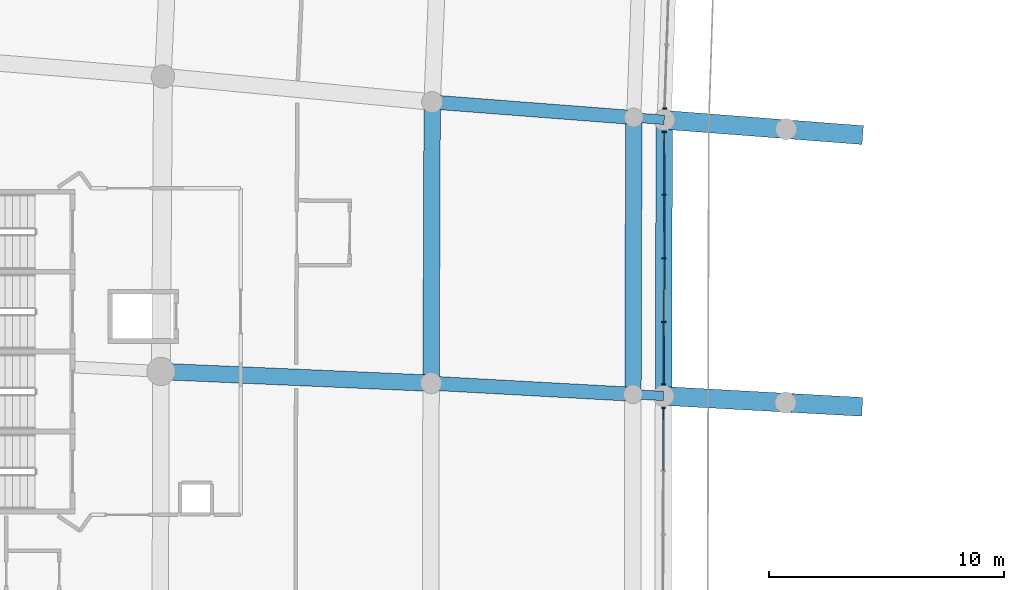
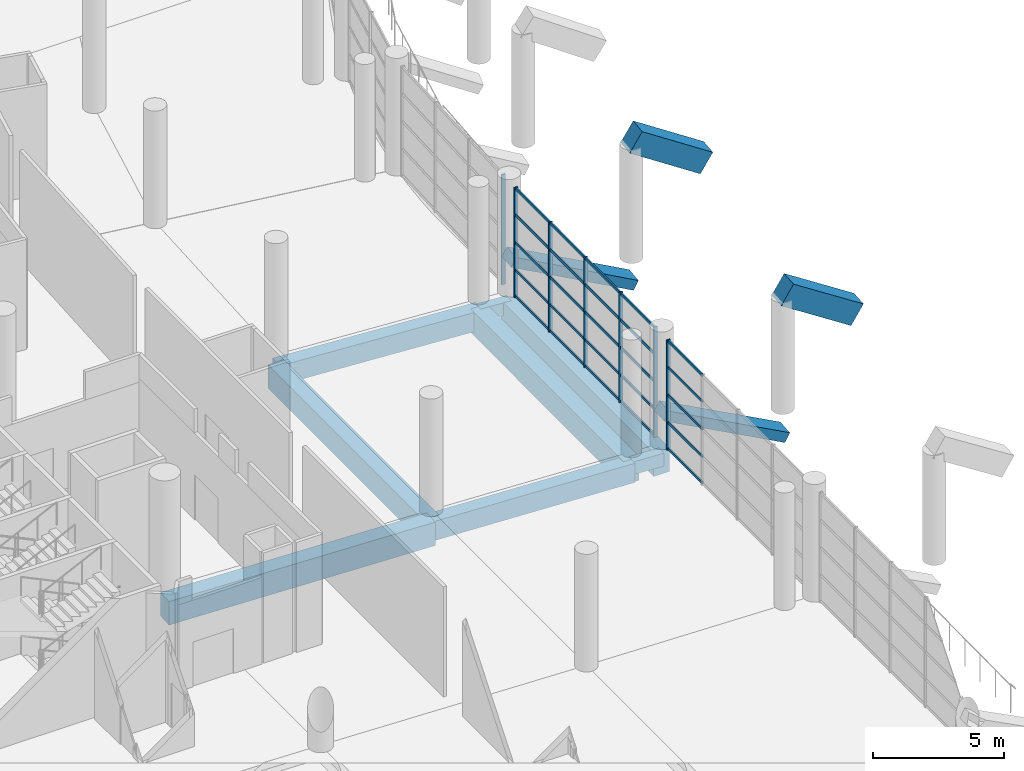
# One storey, part 70 of 271: 32 members, 12 beams, 3 elements without a shape of their own.
"""IFC4 building model written with IfcOpenShell, lengths in metres."""

from ifc_helpers import new_model, si_unit, direction, frame, origin, origin_2d, place, context, subcontext, project, spatial, rectangle, extrude, material, layer, layer_set, material_profile, profile_set, type_object, element, aggregate, save


model = new_model("IFC4")

# Units and contexts
model_context = context("Model", 3, precision=1e-05, world=origin(), true_north=direction((0.0, 1.0)))
body_context = subcontext(model_context, "Body", "Model", "MODEL_VIEW")
ifc_project = project(units=[si_unit("LENGTHUNIT", "METRE"), si_unit("AREAUNIT", "SQUARE_METRE"), si_unit("VOLUMEUNIT", "CUBIC_METRE"), si_unit("PLANEANGLEUNIT", "RADIAN"), si_unit("MASSUNIT", "GRAM", prefix="KILO")], contexts=[model_context])

# Site, building, storey
site_placement = place(None, origin())
site = spatial("IfcSite", under=ifc_project, at=site_placement, CompositionType="ELEMENT")
building_placement = place(site_placement, origin())
building = spatial("IfcBuilding", under=site, at=building_placement, Name="Meseta Stadium", CompositionType="ELEMENT")
storey_placement = place(building_placement, frame((0.0, 0.0, 6.5)))
storey = spatial("IfcBuildingStorey", under=building, at=storey_placement, Name="L01", CompositionType="ELEMENT", Elevation=6.5)

# Curtain wall, member
ifc_material_1 = material(Name="Aluminium", Category="aluminium")
ifc_layer = layer(ifc_material_1, 0.199951171875)
ifc_layer_set = layer_set([ifc_layer], Name="Club glazing curtain wall")
curtain_wall_type = type_object("IfcCurtainWallType", Name="Club glazing curtain wall", PredefinedType="NOTDEFINED", material=ifc_layer_set)
curtain_wall_1_placement = place(storey_placement, origin())
curtain_wall_1 = element("IfcCurtainWall", 1, at=curtain_wall_1_placement, inside=storey, type_object=curtain_wall_type, Name="Club glazing bay 28", PredefinedType="NOTDEFINED")
ifc_material_2 = material(Name="Aluminium", Category="aluminium")
ifc_material_profile_1 = material_profile(ifc_material_2, rectangle(XDim=0.159912109375, YDim=0.06005859375, at=origin_2d()), Name="CW 160x60")
ifc_profile_set_1 = profile_set([ifc_material_profile_1], Name="Aluminium")
member_type_1 = type_object("IfcMemberType", Name="CW mullion 60x160", PredefinedType="MULLION", material=ifc_profile_set_1)
member_1_placement = place(storey_placement, frame((-63.517333984375, 41.583740234375, 0.0), z_axis=(0.0, 0.0, 1.0), x_axis=(0.999408203812, -0.034398287063, 0.0)))
member_1 = element("IfcMember", 2, at=member_1_placement, type_object=member_type_1, Name="CWC mullion 4", PredefinedType="MULLION", context=body_context, shape_type="SweptSolid", body=[
    extrude(rectangle(XDim=0.159912109375, YDim=0.06005859375, at=origin_2d()), origin(), (0.0, 0.0, 1.0), 5.14990234375),
])
aggregate(curtain_wall_1, [member_1])

# Curtain wall, members
curtain_wall_2_placement = place(storey_placement, origin())
curtain_wall_2 = element("IfcCurtainWall", 3, at=curtain_wall_2_placement, inside=storey, type_object=curtain_wall_type, Name="Club glazing bay 29", PredefinedType="NOTDEFINED")
member_2_placement = place(storey_placement, frame((-63.53515625, 40.59423828125, 0.0), z_axis=(0.0, 0.0, 1.0), x_axis=(0.999996195715, -0.002758360998, 0.0)))
member_2 = element("IfcMember", 4, at=member_2_placement, type_object=member_type_1, Name="CWC mullion 1", PredefinedType="MULLION", context=body_context, shape_type="SweptSolid", body=[
    extrude(rectangle(XDim=0.159912109375, YDim=0.06005859375, at=origin_2d()), origin(), (0.0, 0.0, 1.0), 5.14990234375),
])
member_3_placement = place(storey_placement, frame((-63.54248046875, 37.92138671875, 0.0), z_axis=(0.0, 0.0, 1.0), x_axis=(0.999996195715, -0.002758360998, 0.0)))
member_3 = element("IfcMember", 5, at=member_3_placement, type_object=member_type_1, Name="CWC mullion 2", PredefinedType="MULLION", context=body_context, shape_type="SweptSolid", body=[
    extrude(rectangle(XDim=0.159912109375, YDim=0.06005859375, at=origin_2d()), origin(), (0.0, 0.0, 1.0), 5.14990234375),
])
member_4_placement = place(storey_placement, frame((-63.550048828125, 35.21826171875, 0.0), z_axis=(0.0, 0.0, 1.0), x_axis=(0.999996195715, -0.002758360998, 0.0)))
member_4 = element("IfcMember", 6, at=member_4_placement, type_object=member_type_1, Name="CWC mullion 3", PredefinedType="MULLION", context=body_context, shape_type="SweptSolid", body=[
    extrude(rectangle(XDim=0.159912109375, YDim=0.06005859375, at=origin_2d()), origin(), (0.0, 0.0, 1.0), 5.14990234375),
])
member_5_placement = place(storey_placement, frame((-63.557373046875, 32.51513671875, 0.0), z_axis=(0.0, 0.0, 1.0), x_axis=(0.999996195715, -0.002758360998, 0.0)))
member_5 = element("IfcMember", 7, at=member_5_placement, type_object=member_type_1, Name="CWC mullion 4", PredefinedType="MULLION", context=body_context, shape_type="SweptSolid", body=[
    extrude(rectangle(XDim=0.159912109375, YDim=0.06005859375, at=origin_2d()), origin(), (0.0, 0.0, 1.0), 5.14990234375),
])
member_6_placement = place(storey_placement, frame((-63.564697265625, 29.842041015625, 0.0), z_axis=(0.0, 0.0, 1.0), x_axis=(0.999996195715, -0.002758360998, 0.0)))
member_6 = element("IfcMember", 8, at=member_6_placement, type_object=member_type_1, Name="CWC mullion 5", PredefinedType="MULLION", context=body_context, shape_type="SweptSolid", body=[
    extrude(rectangle(XDim=0.159912109375, YDim=0.06005859375, at=origin_2d()), origin(), (0.0, 0.0, 1.0), 5.14990234375),
])

# Curtain wall, member
curtain_wall_3_placement = place(storey_placement, origin())
curtain_wall_3 = element("IfcCurtainWall", 9, at=curtain_wall_3_placement, inside=storey, type_object=curtain_wall_type, Name="Club glazing bay 30", PredefinedType="NOTDEFINED")
member_7_placement = place(storey_placement, frame((-63.567138671875, 28.8525390625, 0.0), z_axis=(0.0, 0.0, 1.0), x_axis=(0.999998297516, -0.0018452545, 0.0)))
member_7 = element("IfcMember", 10, at=member_7_placement, type_object=member_type_1, Name="CWC mullion 1", PredefinedType="MULLION", context=body_context, shape_type="SweptSolid", body=[
    extrude(rectangle(XDim=0.159912109375, YDim=0.06005859375, at=origin_2d()), origin(), (0.0, 0.0, 1.0), 5.14990234375),
])

# Member
ifc_material_3 = material(Name="Aluminium", Category="aluminium")
ifc_material_profile_2 = material_profile(ifc_material_3, rectangle(XDim=0.06005859375, YDim=0.1201171875, at=origin_2d()), Name="CW 60x120")
ifc_profile_set_2 = profile_set([ifc_material_profile_2], Name="Aluminium")
member_type_2 = type_object("IfcMemberType", Name="CW transom 60x120", PredefinedType="USERDEFINED", material=ifc_profile_set_2)
member_8_placement = place(storey_placement, frame((-63.53515625, 40.564453125, 0.06005859375), z_axis=(-0.002802941433, -0.999996071752, 0.0), x_axis=(0.999996071752, -0.002802941433, 0.0)))
member_8 = element("IfcMember", 11, at=member_8_placement, type_object=member_type_2, Name="CWC transom 1.1", ObjectType="TRANSOM", PredefinedType="USERDEFINED", context=body_context, shape_type="SweptSolid", body=[
    extrude(rectangle(XDim=0.06005859375, YDim=0.1201171875, at=origin_2d()), origin(), (0.0, 0.0, 1.0), 2.613037109375),
])

member_9_placement = place(storey_placement, frame((-63.53515625, 40.564453125, 1.28759765625), z_axis=(-0.002802941433, -0.999996071752, 0.0), x_axis=(0.999996071752, -0.002802941433, 0.0)))
member_9 = element("IfcMember", 12, at=member_9_placement, type_object=member_type_2, Name="CWC transom 1.2", ObjectType="TRANSOM", PredefinedType="USERDEFINED", context=body_context, shape_type="SweptSolid", body=[
    extrude(rectangle(XDim=0.06005859375, YDim=0.1201171875, at=origin_2d()), origin(), (0.0, 0.0, 1.0), 2.613037109375),
])

member_10_placement = place(storey_placement, frame((-63.53515625, 40.564453125, 2.574951171875), z_axis=(-0.002802941433, -0.999996071752, 0.0), x_axis=(0.999996071752, -0.002802941433, 0.0)))
member_10 = element("IfcMember", 13, at=member_10_placement, type_object=member_type_2, Name="CWC transom 1.3", ObjectType="TRANSOM", PredefinedType="USERDEFINED", context=body_context, shape_type="SweptSolid", body=[
    extrude(rectangle(XDim=0.06005859375, YDim=0.1201171875, at=origin_2d()), origin(), (0.0, 0.0, 1.0), 2.613037109375),
])

member_11_placement = place(storey_placement, frame((-63.53515625, 40.564453125, 3.862548828125), z_axis=(-0.002802941433, -0.999996071752, 0.0), x_axis=(0.999996071752, -0.002802941433, 0.0)))
member_11 = element("IfcMember", 14, at=member_11_placement, type_object=member_type_2, Name="CWC transom 1.4", ObjectType="TRANSOM", PredefinedType="USERDEFINED", context=body_context, shape_type="SweptSolid", body=[
    extrude(rectangle(XDim=0.06005859375, YDim=0.1201171875, at=origin_2d()), origin(), (0.0, 0.0, 1.0), 2.613037109375),
])

member_12_placement = place(storey_placement, frame((-63.53515625, 40.564453125, 5.090087890625), z_axis=(-0.002802941433, -0.999996071752, 0.0), x_axis=(0.999996071752, -0.002802941433, 0.0)))
member_12 = element("IfcMember", 15, at=member_12_placement, type_object=member_type_2, Name="CWC transom 1.5", ObjectType="TRANSOM", PredefinedType="USERDEFINED", context=body_context, shape_type="SweptSolid", body=[
    extrude(rectangle(XDim=0.06005859375, YDim=0.1201171875, at=origin_2d()), origin(), (0.0, 0.0, 1.0), 2.613037109375),
])

member_13_placement = place(storey_placement, frame((-63.54248046875, 37.891357421875, 0.06005859375), z_axis=(-0.002771095956, -0.999996160506, 0.0), x_axis=(0.999996160506, -0.002771095956, 0.0)))
member_13 = element("IfcMember", 16, at=member_13_placement, type_object=member_type_2, Name="CWC transom 2.1", ObjectType="TRANSOM", PredefinedType="USERDEFINED", context=body_context, shape_type="SweptSolid", body=[
    extrude(rectangle(XDim=0.06005859375, YDim=0.1201171875, at=origin_2d()), origin(), (0.0, 0.0, 1.0), 2.64306640625),
])

member_14_placement = place(storey_placement, frame((-63.54248046875, 37.891357421875, 1.28759765625), z_axis=(-0.002771095956, -0.999996160506, 0.0), x_axis=(0.999996160506, -0.002771095956, 0.0)))
member_14 = element("IfcMember", 17, at=member_14_placement, type_object=member_type_2, Name="CWC transom 2.2", ObjectType="TRANSOM", PredefinedType="USERDEFINED", context=body_context, shape_type="SweptSolid", body=[
    extrude(rectangle(XDim=0.06005859375, YDim=0.1201171875, at=origin_2d()), origin(), (0.0, 0.0, 1.0), 2.64306640625),
])

member_15_placement = place(storey_placement, frame((-63.54248046875, 37.891357421875, 2.574951171875), z_axis=(-0.002771095956, -0.999996160506, 0.0), x_axis=(0.999996160506, -0.002771095956, 0.0)))
member_15 = element("IfcMember", 18, at=member_15_placement, type_object=member_type_2, Name="CWC transom 2.3", ObjectType="TRANSOM", PredefinedType="USERDEFINED", context=body_context, shape_type="SweptSolid", body=[
    extrude(rectangle(XDim=0.06005859375, YDim=0.1201171875, at=origin_2d()), origin(), (0.0, 0.0, 1.0), 2.64306640625),
])

member_16_placement = place(storey_placement, frame((-63.54248046875, 37.891357421875, 3.862548828125), z_axis=(-0.002771095956, -0.999996160506, 0.0), x_axis=(0.999996160506, -0.002771095956, 0.0)))
member_16 = element("IfcMember", 19, at=member_16_placement, type_object=member_type_2, Name="CWC transom 2.4", ObjectType="TRANSOM", PredefinedType="USERDEFINED", context=body_context, shape_type="SweptSolid", body=[
    extrude(rectangle(XDim=0.06005859375, YDim=0.1201171875, at=origin_2d()), origin(), (0.0, 0.0, 1.0), 2.64306640625),
])

member_17_placement = place(storey_placement, frame((-63.54248046875, 37.891357421875, 5.090087890625), z_axis=(-0.002771095956, -0.999996160506, 0.0), x_axis=(0.999996160506, -0.002771095956, 0.0)))
member_17 = element("IfcMember", 20, at=member_17_placement, type_object=member_type_2, Name="CWC transom 2.5", ObjectType="TRANSOM", PredefinedType="USERDEFINED", context=body_context, shape_type="SweptSolid", body=[
    extrude(rectangle(XDim=0.06005859375, YDim=0.1201171875, at=origin_2d()), origin(), (0.0, 0.0, 1.0), 2.64306640625),
])

member_18_placement = place(storey_placement, frame((-63.550048828125, 35.188232421875, 0.06005859375), z_axis=(-0.002771095956, -0.999996160506, 0.0), x_axis=(0.999996160506, -0.002771095956, 0.0)))
member_18 = element("IfcMember", 21, at=member_18_placement, type_object=member_type_2, Name="CWC transom 3.1", ObjectType="TRANSOM", PredefinedType="USERDEFINED", context=body_context, shape_type="SweptSolid", body=[
    extrude(rectangle(XDim=0.06005859375, YDim=0.1201171875, at=origin_2d()), origin(), (0.0, 0.0, 1.0), 2.64306640625),
])

member_19_placement = place(storey_placement, frame((-63.550048828125, 35.188232421875, 1.28759765625), z_axis=(-0.002771095956, -0.999996160506, 0.0), x_axis=(0.999996160506, -0.002771095956, 0.0)))
member_19 = element("IfcMember", 22, at=member_19_placement, type_object=member_type_2, Name="CWC transom 3.2", ObjectType="TRANSOM", PredefinedType="USERDEFINED", context=body_context, shape_type="SweptSolid", body=[
    extrude(rectangle(XDim=0.06005859375, YDim=0.1201171875, at=origin_2d()), origin(), (0.0, 0.0, 1.0), 2.64306640625),
])

member_20_placement = place(storey_placement, frame((-63.550048828125, 35.188232421875, 2.574951171875), z_axis=(-0.002771095956, -0.999996160506, 0.0), x_axis=(0.999996160506, -0.002771095956, 0.0)))
member_20 = element("IfcMember", 23, at=member_20_placement, type_object=member_type_2, Name="CWC transom 3.3", ObjectType="TRANSOM", PredefinedType="USERDEFINED", context=body_context, shape_type="SweptSolid", body=[
    extrude(rectangle(XDim=0.06005859375, YDim=0.1201171875, at=origin_2d()), origin(), (0.0, 0.0, 1.0), 2.64306640625),
])

member_21_placement = place(storey_placement, frame((-63.550048828125, 35.188232421875, 3.862548828125), z_axis=(-0.002771095956, -0.999996160506, 0.0), x_axis=(0.999996160506, -0.002771095956, 0.0)))
member_21 = element("IfcMember", 24, at=member_21_placement, type_object=member_type_2, Name="CWC transom 3.4", ObjectType="TRANSOM", PredefinedType="USERDEFINED", context=body_context, shape_type="SweptSolid", body=[
    extrude(rectangle(XDim=0.06005859375, YDim=0.1201171875, at=origin_2d()), origin(), (0.0, 0.0, 1.0), 2.64306640625),
])

member_22_placement = place(storey_placement, frame((-63.550048828125, 35.188232421875, 5.090087890625), z_axis=(-0.002771095956, -0.999996160506, 0.0), x_axis=(0.999996160506, -0.002771095956, 0.0)))
member_22 = element("IfcMember", 25, at=member_22_placement, type_object=member_type_2, Name="CWC transom 3.5", ObjectType="TRANSOM", PredefinedType="USERDEFINED", context=body_context, shape_type="SweptSolid", body=[
    extrude(rectangle(XDim=0.06005859375, YDim=0.1201171875, at=origin_2d()), origin(), (0.0, 0.0, 1.0), 2.64306640625),
])

member_23_placement = place(storey_placement, frame((-63.5576171875, 32.485107421875, 0.06005859375), z_axis=(-0.002709510749, -0.999996329269, 0.0), x_axis=(0.999996329269, -0.002709510749, 0.0)))
member_23 = element("IfcMember", 26, at=member_23_placement, type_object=member_type_2, Name="CWC transom 4.1", ObjectType="TRANSOM", PredefinedType="USERDEFINED", context=body_context, shape_type="SweptSolid", body=[
    extrude(rectangle(XDim=0.06005859375, YDim=0.1201171875, at=origin_2d()), origin(), (0.0, 0.0, 1.0), 2.613037109375),
])

member_24_placement = place(storey_placement, frame((-63.5576171875, 32.485107421875, 1.28759765625), z_axis=(-0.002709510749, -0.999996329269, 0.0), x_axis=(0.999996329269, -0.002709510749, 0.0)))
member_24 = element("IfcMember", 27, at=member_24_placement, type_object=member_type_2, Name="CWC transom 4.2", ObjectType="TRANSOM", PredefinedType="USERDEFINED", context=body_context, shape_type="SweptSolid", body=[
    extrude(rectangle(XDim=0.06005859375, YDim=0.1201171875, at=origin_2d()), origin(), (0.0, 0.0, 1.0), 2.613037109375),
])

member_25_placement = place(storey_placement, frame((-63.5576171875, 32.485107421875, 2.574951171875), z_axis=(-0.002709510749, -0.999996329269, 0.0), x_axis=(0.999996329269, -0.002709510749, 0.0)))
member_25 = element("IfcMember", 28, at=member_25_placement, type_object=member_type_2, Name="CWC transom 4.3", ObjectType="TRANSOM", PredefinedType="USERDEFINED", context=body_context, shape_type="SweptSolid", body=[
    extrude(rectangle(XDim=0.06005859375, YDim=0.1201171875, at=origin_2d()), origin(), (0.0, 0.0, 1.0), 2.613037109375),
])

member_26_placement = place(storey_placement, frame((-63.5576171875, 32.485107421875, 3.862548828125), z_axis=(-0.002709510749, -0.999996329269, 0.0), x_axis=(0.999996329269, -0.002709510749, 0.0)))
member_26 = element("IfcMember", 29, at=member_26_placement, type_object=member_type_2, Name="CWC transom 4.4", ObjectType="TRANSOM", PredefinedType="USERDEFINED", context=body_context, shape_type="SweptSolid", body=[
    extrude(rectangle(XDim=0.06005859375, YDim=0.1201171875, at=origin_2d()), origin(), (0.0, 0.0, 1.0), 2.613037109375),
])

member_27_placement = place(storey_placement, frame((-63.5576171875, 32.485107421875, 5.090087890625), z_axis=(-0.002709510749, -0.999996329269, 0.0), x_axis=(0.999996329269, -0.002709510749, 0.0)))
member_27 = element("IfcMember", 30, at=member_27_placement, type_object=member_type_2, Name="CWC transom 4.5", ObjectType="TRANSOM", PredefinedType="USERDEFINED", context=body_context, shape_type="SweptSolid", body=[
    extrude(rectangle(XDim=0.06005859375, YDim=0.1201171875, at=origin_2d()), origin(), (0.0, 0.0, 1.0), 2.613037109375),
])

aggregate(curtain_wall_2, [member_2, member_3, member_4, member_5, member_6, member_8, member_9, member_10, member_11, member_12, member_13, member_14, member_15, member_16, member_17, member_18, member_19, member_20, member_21, member_22, member_23, member_24, member_25, member_26, member_27])

member_28_placement = place(storey_placement, frame((-63.567138671875, 28.822509765625, 0.06005859375), z_axis=(-0.001868282587, -0.999998254759, 0.0), x_axis=(0.999998254759, -0.001868282587, 0.0)))
member_28 = element("IfcMember", 31, at=member_28_placement, type_object=member_type_2, Name="CWC transom 1.1", ObjectType="TRANSOM", PredefinedType="USERDEFINED", context=body_context, shape_type="SweptSolid", body=[
    extrude(rectangle(XDim=0.06005859375, YDim=0.1201171875, at=origin_2d()), origin(), (0.0, 0.0, 1.0), 2.613525390625),
])

member_29_placement = place(storey_placement, frame((-63.567138671875, 28.822509765625, 1.28759765625), z_axis=(-0.001868282587, -0.999998254759, 0.0), x_axis=(0.999998254759, -0.001868282587, 0.0)))
member_29 = element("IfcMember", 32, at=member_29_placement, type_object=member_type_2, Name="CWC transom 1.2", ObjectType="TRANSOM", PredefinedType="USERDEFINED", context=body_context, shape_type="SweptSolid", body=[
    extrude(rectangle(XDim=0.06005859375, YDim=0.1201171875, at=origin_2d()), origin(), (0.0, 0.0, 1.0), 2.613525390625),
])

member_30_placement = place(storey_placement, frame((-63.567138671875, 28.822509765625, 2.574951171875), z_axis=(-0.001868282587, -0.999998254759, 0.0), x_axis=(0.999998254759, -0.001868282587, 0.0)))
member_30 = element("IfcMember", 33, at=member_30_placement, type_object=member_type_2, Name="CWC transom 1.3", ObjectType="TRANSOM", PredefinedType="USERDEFINED", context=body_context, shape_type="SweptSolid", body=[
    extrude(rectangle(XDim=0.06005859375, YDim=0.1201171875, at=origin_2d()), origin(), (0.0, 0.0, 1.0), 2.613525390625),
])

member_31_placement = place(storey_placement, frame((-63.567138671875, 28.822509765625, 3.862548828125), z_axis=(-0.001868282587, -0.999998254759, 0.0), x_axis=(0.999998254759, -0.001868282587, 0.0)))
member_31 = element("IfcMember", 34, at=member_31_placement, type_object=member_type_2, Name="CWC transom 1.4", ObjectType="TRANSOM", PredefinedType="USERDEFINED", context=body_context, shape_type="SweptSolid", body=[
    extrude(rectangle(XDim=0.06005859375, YDim=0.1201171875, at=origin_2d()), origin(), (0.0, 0.0, 1.0), 2.613525390625),
])

member_32_placement = place(storey_placement, frame((-63.567138671875, 28.822509765625, 5.090087890625), z_axis=(-0.001868282587, -0.999998254759, 0.0), x_axis=(0.999998254759, -0.001868282587, 0.0)))
member_32 = element("IfcMember", 35, at=member_32_placement, type_object=member_type_2, Name="CWC transom 1.5", ObjectType="TRANSOM", PredefinedType="USERDEFINED", context=body_context, shape_type="SweptSolid", body=[
    extrude(rectangle(XDim=0.06005859375, YDim=0.1201171875, at=origin_2d()), origin(), (0.0, 0.0, 1.0), 2.613525390625),
])

aggregate(curtain_wall_3, [member_7, member_28, member_29, member_30, member_31, member_32])

# Beams
ifc_material_4 = material(Name="Concrete C40/50", Category="concrete")
ifc_material_profile_3 = material_profile(ifc_material_4, rectangle(XDim=0.39990234375, YDim=0.60009765625, at=origin_2d()), Name="RC 400x600")
ifc_profile_set_3 = profile_set([ifc_material_profile_3], Name="Concrete C40/50")
beam_type_1 = type_object("IfcBeamType", Name="RC beam 400x600", PredefinedType="BEAM", material=ifc_profile_set_3)
for number, where, z_axis, x_axis, name in (
    (36, (-63.53369140625, 41.1044921875, -0.64990234375), (-0.99706000661, 0.076624690657, 0.0), (-0.076624690657, -0.99706000661, 0.0), "L01 radial beam frame 29 line C to D"),
    (37, (-63.566162109375, 29.3623046875, -0.64990234375), (-0.998505663725, 0.054648325775, 0.0), (-0.054648325775, -0.998505663725, 0.0), "L01 radial beam frame 30 line C to D"),
):
    element("IfcBeam", number, at=place(storey_placement, frame(where, z_axis=z_axis, x_axis=x_axis)), inside=storey, type_object=beam_type_1, Name=name, PredefinedType="BEAM", context=body_context, shape_type="SweptSolid", body=[
        extrude(rectangle(XDim=0.39990234375, YDim=0.60009765625, at=origin_2d()), origin(), (0.0, 0.0, 1.0), 1.300048828125),
    ])
ifc_material_5 = material(Name="Concrete C40/50", Category="concrete")
ifc_material_profile_4 = material_profile(ifc_material_5, rectangle(XDim=0.60009765625, YDim=0.89990234375, at=origin_2d()), Name="RC 600x900")
ifc_profile_set_4 = profile_set([ifc_material_profile_4], Name="Concrete C40/50")
beam_type_2 = type_object("IfcBeamType", Name="RC beam 600x900", PredefinedType="BEAM", material=ifc_profile_set_4)
for number, where, z_axis, x_axis, name in (
    (38, (-64.829833984375, 41.2041015625, -0.800048828125), (-0.997066996267, 0.076533685105, 0.0), (-0.076533685105, -0.997066996267, 0.0), "L01 radial beam frame 29 line D to E"),
    (39, (-64.8642578125, 29.433349609375, -0.800048828125), (-0.998501047384, 0.054732607948, 0.0), (-0.054732607948, -0.998501047384, 0.0), "L01 radial beam frame 30 line D to E"),
):
    element("IfcBeam", number, at=place(storey_placement, frame(where, z_axis=z_axis, x_axis=x_axis)), inside=storey, type_object=beam_type_2, Name=name, PredefinedType="BEAM", context=body_context, shape_type="SweptSolid", body=[
        extrude(rectangle(XDim=0.60009765625, YDim=0.89990234375, at=origin_2d()), origin(), (0.0, 0.0, 1.0), 8.60009765625),
    ])
ifc_material_6 = material(Name="Concrete C40/50", Category="concrete")
ifc_material_profile_5 = material_profile(ifc_material_6, rectangle(XDim=0.699951171875, YDim=1.10009765625, at=origin_2d()), Name="RC 700x1100")
ifc_profile_set_5 = profile_set([ifc_material_profile_5], Name="Concrete C40/50")
beam_type_3 = type_object("IfcBeamType", Name="RC beam 700x1100", PredefinedType="BEAM", material=ifc_profile_set_5)
beam_1_placement = place(storey_placement, frame((-63.53369140625, 41.1044921875, -0.89990234375), z_axis=(-0.002765292155, -0.999996176572, 0.0), x_axis=(0.999996176572, -0.002765292155, 0.0)))
element("IfcBeam", 40, at=beam_1_placement, inside=storey, type_object=beam_type_3, Name="L01 ring beam frame 29 line C", PredefinedType="BEAM", context=body_context, shape_type="SweptSolid", body=[
    extrude(rectangle(XDim=0.699951171875, YDim=1.10009765625, at=origin_2d()), origin(), (0.0, 0.0, 1.0), 11.7421875),
])
beam_2_placement = place(storey_placement, frame((-64.829833984375, 41.2041015625, -0.89990234375), z_axis=(-0.002924509925, -0.999995723612, 0.0), x_axis=(0.999995723612, -0.002924509925, 0.0)))
element("IfcBeam", 41, at=beam_2_placement, inside=storey, type_object=beam_type_3, Name="L01 ring beam frame 29 line D", PredefinedType="BEAM", context=body_context, shape_type="SweptSolid", body=[
    extrude(rectangle(XDim=0.699951171875, YDim=1.10009765625, at=origin_2d()), origin(), (0.0, 0.0, 1.0), 11.770751953125),
])
beam_3_placement = place(storey_placement, frame((-73.40478515625, 41.8623046875, -0.89990234375), z_axis=(-0.003899441576, -0.999992397149, 0.0), x_axis=(0.999992397149, -0.003899441576, 0.0)))
element("IfcBeam", 42, at=beam_3_placement, inside=storey, type_object=beam_type_3, Name="L01 ring beam frame 29 line E", PredefinedType="BEAM", context=body_context, shape_type="SweptSolid", body=[
    extrude(rectangle(XDim=0.699951171875, YDim=1.10009765625, at=origin_2d()), origin(), (0.0, 0.0, 1.0), 11.958251953125),
])
beam_4_placement = place(storey_placement, frame((-73.451416015625, 29.904052734375, -0.89990234375), z_axis=(-0.999054395094, 0.04347776033, 0.0), x_axis=(-0.04347776033, -0.999054395094, 0.0)))
element("IfcBeam", 43, at=beam_4_placement, inside=storey, type_object=beam_type_3, Name="L01 radial beam frame 30 line E to P", PredefinedType="BEAM", context=body_context, shape_type="SweptSolid", body=[
    extrude(rectangle(XDim=0.699951171875, YDim=1.10009765625, at=origin_2d()), origin(), (0.0, 0.0, 1.0), 11.500244140625),
])
ifc_material_7 = material(Name="Concrete C40/50", Category="concrete")
ifc_material_profile_6 = material_profile(ifc_material_7, rectangle(XDim=0.800048828125, YDim=0.449951171875, at=origin_2d()), Name="RC 800x450")
ifc_profile_set_6 = profile_set([ifc_material_profile_6], Name="Concrete C40/50")
beam_type_4 = type_object("IfcBeamType", Name="RC raker lower 800x450", PredefinedType="USERDEFINED", material=ifc_profile_set_6)
beam_5_placement = place(storey_placement, frame((-58.34912109375, 40.70654296875, -1.083740234375), z_axis=(-0.888226455313, 0.068177110669, 0.454318881033), x_axis=(-0.076531338178, -0.997067176411, 0.0)))
element("IfcBeam", 44, at=beam_5_placement, inside=storey, type_object=beam_type_4, Name="Raker lower frame 29 lower tier", ObjectType="RAKER", PredefinedType="USERDEFINED", context=body_context, shape_type="SweptSolid", body=[
    extrude(rectangle(XDim=0.800048828125, YDim=0.449951171875, at=origin_2d()), origin(), (0.0, 0.0, 1.0), 5.8369140625),
])
beam_6_placement = place(storey_placement, frame((-58.373779296875, 29.077392578125, -1.146240234375), z_axis=(-0.889514236791, 0.048808685083, 0.454293005456), x_axis=(-0.054788749724, -0.998497968402, 0.0)))
element("IfcBeam", 45, at=beam_6_placement, inside=storey, type_object=beam_type_4, Name="Raker lower frame 30 lower tier", ObjectType="RAKER", PredefinedType="USERDEFINED", context=body_context, shape_type="SweptSolid", body=[
    extrude(rectangle(XDim=0.800048828125, YDim=0.449951171875, at=origin_2d()), origin(), (0.0, 0.0, 1.0), 5.83740234375),
])
ifc_material_8 = material(Name="Concrete C40/50", Category="concrete")
ifc_material_profile_7 = material_profile(ifc_material_8, rectangle(XDim=0.800048828125, YDim=1.0, at=origin_2d()), Name="RC 800x1000")
ifc_profile_set_7 = profile_set([ifc_material_profile_7], Name="Concrete C40/50")
beam_type_5 = type_object("IfcBeamType", Name="RC raker upper front 800x1000", PredefinedType="USERDEFINED", material=ifc_profile_set_7)
for number, where, z_axis, x_axis, name in (
    (46, (-55.35791015625, 40.47705078125, 3.728515625), (-0.845544536475, 0.064872009818, 0.52994910999), (-0.076497355304, -0.997069784234, 0.0), "Raker upper front frame 29 upper tier"),
    (47, (-55.37841796875, 28.913330078125, 3.651611328125), (-0.846717350403, 0.046376563654, 0.530017870331), (-0.054690216379, -0.998503370166, 0.0), "Raker upper front frame 30 upper tier"),
):
    element("IfcBeam", number, at=place(storey_placement, frame(where, z_axis=z_axis, x_axis=x_axis)), inside=storey, type_object=beam_type_5, Name=name, ObjectType="RAKER", PredefinedType="USERDEFINED", context=body_context, shape_type="SweptSolid", body=[
        extrude(rectangle(XDim=0.800048828125, YDim=1.0, at=origin_2d()), origin(), (0.0, 0.0, 1.0), 3.53759765625),
    ])

save(model, "model.ifc")
